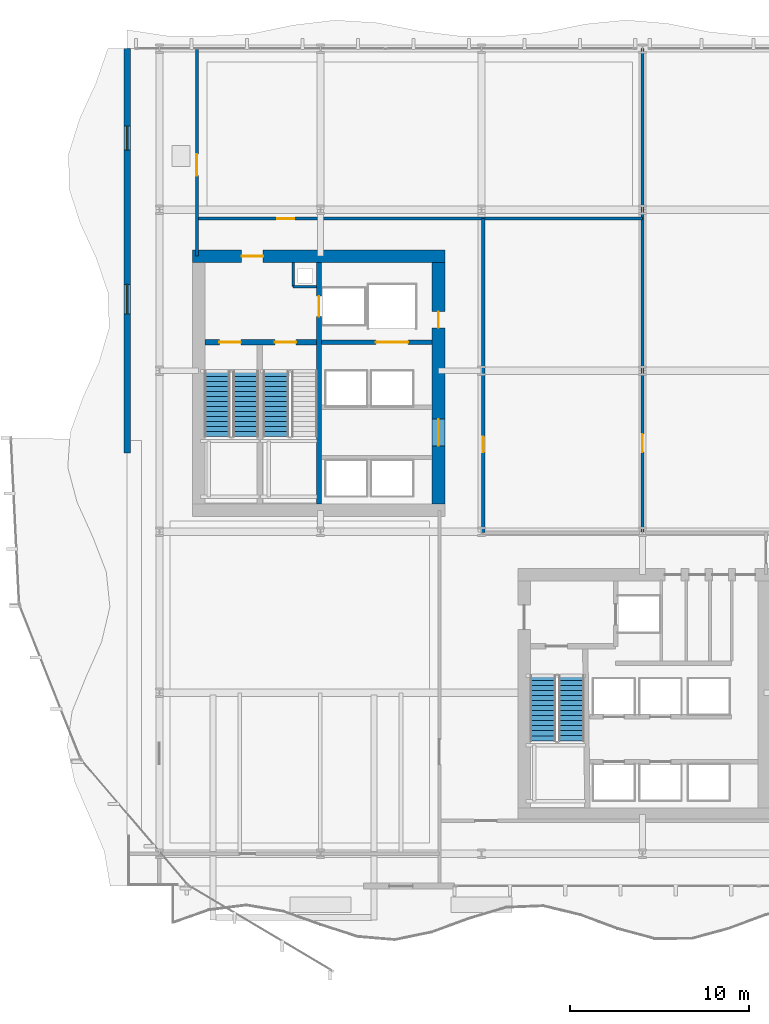
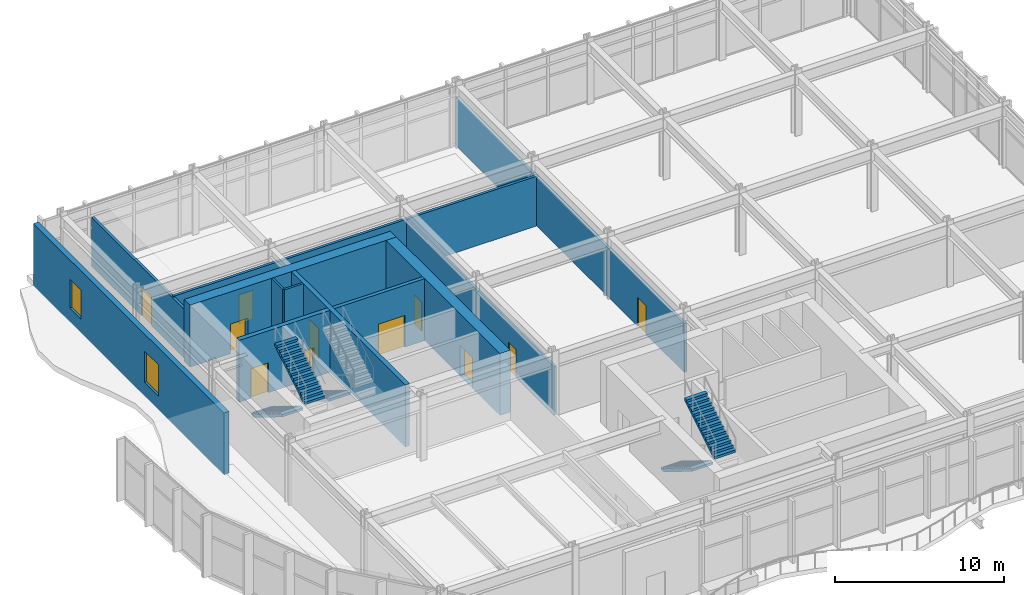
# One storey, part 21 of 29: 12 walls, 11 doors, 5 stair flights, 2 windows, 13 openings, 3 elements without a shape of their own.
"""IFC4 building model written with IfcOpenShell, lengths in metres."""

from ifc_helpers import new_model, si_unit, direction, frame, frame_2d, origin, place, context, subcontext, project, spatial, polyline, rectangle, outline, extrude, material, layer, layer_set, type_object, element, fill, aggregate, save


model = new_model("IFC4")

# Units and contexts
model_context = context("Model", 3, precision=1e-05, world=origin(), true_north=direction((0.0, 1.0)))
body_context = subcontext(model_context, "Body", "Model", "MODEL_VIEW")
ifc_project = project(units=[si_unit("LENGTHUNIT", "METRE"), si_unit("AREAUNIT", "SQUARE_METRE"), si_unit("VOLUMEUNIT", "CUBIC_METRE"), si_unit("PLANEANGLEUNIT", "RADIAN"), si_unit("MASSUNIT", "GRAM", prefix="KILO")], contexts=[model_context])

# Site, building, storey
site_placement = place(None, origin())
site = spatial("IfcSite", under=ifc_project, at=site_placement, CompositionType="ELEMENT")
building_placement = place(site_placement, origin())
building = spatial("IfcBuilding", under=site, at=building_placement, Name="Solvaryn Broadcast Tower", CompositionType="ELEMENT")
storey_placement = place(building_placement, frame((0.0, 0.0, 21.199951171875)))
storey = spatial("IfcBuildingStorey", under=building, at=storey_placement, Name="L04", CompositionType="ELEMENT", Elevation=21.199951171875)

# Wall, opening, door
ifc_material_1 = material(Name="Concrete f'c 70 MPa", Category="concrete")
ifc_layer_1 = layer(ifc_material_1, 0.699951171875)
ifc_layer_set_1 = layer_set([ifc_layer_1], Name="CW-SHEAR-700")
wall_type_1 = type_object("IfcWallType", Name="CW-SHEAR-700", PredefinedType="SHEAR", material=ifc_layer_set_1)
wall_1_placement = place(storey_placement, frame((24.949951171875, 42.39990234375, 0.0), z_axis=(0.0, 0.0, 1.0), x_axis=(-1.0, 0.0, 0.0)))
wall_1 = element("IfcWall", 1, at=wall_1_placement, inside=storey, type_object=wall_type_1, Name="L04 West Core North Shear Wall", PredefinedType="SHEAR", context=body_context, shape_type="SweptSolid", body=[
    extrude(rectangle(XDim=14.099853515625, YDim=0.699951171875, at=frame_2d((7.0498046875, 0.0))), origin(), (0.0, 0.0, 1.0), 4.47998046875),
])
opening_1_placement = place(wall_1_placement, frame((10.14990234375, 0.0, 0.0)))
opening_1 = element("IfcOpeningElement", 2, at=opening_1_placement, cuts=wall_1, Name="Opening FD90A", PredefinedType="OPENING", context=body_context, shape_type="SweptSolid", body=[
    extrude(rectangle(XDim=1.199951171875, YDim=2.14990234375, at=frame_2d((0.60009765625, 1.074951171875))), frame((0.0, 0.360107421875, 0.0), z_axis=(0.0, -1.0, 0.0), x_axis=(1.0, 0.0, 0.0)), (0.0, 0.0, 1.0), 0.719970703125),
])
ifc_material_2 = material(Name="Flush Acoustic Steel and Timber Door Assembly", Category="steel")
door_type_1 = type_object("IfcDoorType", Name="FD90-STAIR-1200X2150", OperationType="NOTDEFINED", PredefinedType="DOOR", material=ifc_material_2)
door_1_placement = place(opening_1_placement, origin())
door_1 = element("IfcDoor", 3, at=door_1_placement, inside=storey, type_object=door_type_1, Name="L04 West FSAE Lobby Corridor Door", OperationType="SINGLE_SWING_LEFT", OverallHeight=2.14990234375, OverallWidth=1.199951171875, PredefinedType="DOOR", context=body_context, shape_type="SweptSolid", body=[
    extrude(rectangle(XDim=1.199951171875, YDim=2.14990234375, at=frame_2d((0.60009765625, 1.074951171875))), frame((0.0, 0.02490234375, 0.0), z_axis=(0.0, -1.0, 0.0), x_axis=(1.0, 0.0, 0.0)), (0.0, 0.0, 1.0), 0.050048828125),
])
fill(opening_1, door_1)

# Wall, openings, doors
wall_2_placement = place(storey_placement, frame((24.60009765625, 28.550048828125, 0.0), z_axis=(0.0, 0.0, 1.0), x_axis=(0.0, 1.0, 0.0)))
wall_2 = element("IfcWall", 4, at=wall_2_placement, inside=storey, type_object=wall_type_1, Name="L04 West Core East Shear Wall", PredefinedType="SHEAR", context=body_context, shape_type="SweptSolid", body=[
    extrude(rectangle(XDim=13.5, YDim=0.699951171875, at=frame_2d((6.75, 0.0))), origin(), (0.0, 0.0, 1.0), 4.47998046875),
])
opening_2_placement = place(wall_2_placement, frame((3.25, 0.0, 0.0)))
opening_2 = element("IfcOpeningElement", 5, at=opening_2_placement, cuts=wall_2, Name="Opening FD60A", PredefinedType="OPENING", context=body_context, shape_type="SweptSolid", body=[
    extrude(rectangle(XDim=1.5, YDim=2.199951171875, at=frame_2d((0.75, 1.10009765625))), frame((0.0, 0.360107421875, 0.0), z_axis=(0.0, -1.0, 0.0), x_axis=(1.0, 0.0, 0.0)), (0.0, 0.0, 1.0), 0.719970703125),
])
opening_3_placement = place(wall_2_placement, frame((9.85009765625, 0.0, 0.0)))
opening_3 = element("IfcOpeningElement", 6, at=opening_3_placement, cuts=wall_2, Name="Opening FD60C", PredefinedType="OPENING", context=body_context, shape_type="SweptSolid", body=[
    extrude(rectangle(XDim=0.89990234375, YDim=2.10009765625, at=frame_2d((0.449951171875, 1.050048828125))), frame((0.0, 0.360107421875, 0.0), z_axis=(0.0, -1.0, 0.0), x_axis=(1.0, 0.0, 0.0)), (0.0, 0.0, 1.0), 0.719970703125),
])
ifc_material_3 = material(Name="Flush Acoustic Steel and Timber Door Assembly", Category="steel")
door_type_2 = type_object("IfcDoorType", Name="FD60-CORR-1500X2200", OperationType="NOTDEFINED", PredefinedType="DOOR", material=ifc_material_3)
door_2_placement = place(opening_2_placement, origin())
door_2 = element("IfcDoor", 7, at=door_2_placement, inside=storey, type_object=door_type_2, Name="L04 West Elevator Lobby Corridor Door", OperationType="DOUBLE_DOOR_SINGLE_SWING", OverallHeight=2.199951171875, OverallWidth=1.5, PredefinedType="DOOR", context=body_context, shape_type="SweptSolid", body=[
    extrude(rectangle(XDim=1.5, YDim=2.199951171875, at=frame_2d((0.75, 1.10009765625))), frame((0.0, 0.02490234375, 0.0), z_axis=(0.0, -1.0, 0.0), x_axis=(1.0, 0.0, 0.0)), (0.0, 0.0, 1.0), 0.050048828125),
])
fill(opening_2, door_2)
ifc_material_4 = material(Name="Flush Acoustic Steel and Timber Door Assembly", Category="steel")
door_type_3 = type_object("IfcDoorType", Name="FD60-SERV-900X2100", OperationType="NOTDEFINED", PredefinedType="DOOR", material=ifc_material_4)
door_3_placement = place(opening_3_placement, origin())
door_3 = element("IfcDoor", 8, at=door_3_placement, inside=storey, type_object=door_type_3, Name="L04 West Core Service Door 1", OperationType="SINGLE_SWING_LEFT", OverallHeight=2.10009765625, OverallWidth=0.89990234375, PredefinedType="DOOR", context=body_context, shape_type="SweptSolid", body=[
    extrude(rectangle(XDim=0.89990234375, YDim=2.10009765625, at=frame_2d((0.449951171875, 1.050048828125))), frame((0.0, 0.02490234375, 0.0), z_axis=(0.0, -1.0, 0.0), x_axis=(1.0, 0.0, 0.0)), (0.0, 0.0, 1.0), 0.050048828125),
])
fill(opening_3, door_3)

# Wall, openings, windows
ifc_material_5 = material(Name="Concrete f'c 50 MPa", Category="concrete")
ifc_layer_2 = layer(ifc_material_5, 0.35009765625)
ifc_layer_set_2 = layer_set([ifc_layer_2], Name="EW-STUDIO-350")
wall_type_2 = type_object("IfcWallType", Name="EW-STUDIO-350", PredefinedType="SOLIDWALL", material=ifc_layer_set_2)
wall_3_placement = place(storey_placement, frame((7.199951171875, 31.39990234375, 0.0), z_axis=(0.0, 0.0, 1.0), x_axis=(0.0, 1.0, 0.0)))
wall_3 = element("IfcWall", 9, at=wall_3_placement, inside=storey, type_object=wall_type_2, Name="L04 Podium West Door & Corner Wall", PredefinedType="SOLIDWALL", context=body_context, shape_type="SweptSolid", body=[
    extrude(rectangle(XDim=22.60009765625, YDim=0.35009765625, at=frame_2d((11.300048828125, 0.0))), origin(), (0.0, 0.0, 1.0), 4.47998046875),
])
opening_4_placement = place(wall_3_placement, frame((7.77490234375, 0.0, 1.0)))
opening_4 = element("IfcOpeningElement", 10, at=opening_4_placement, cuts=wall_3, Name="Opening WN09", PredefinedType="OPENING", context=body_context, shape_type="SweptSolid", body=[
    extrude(rectangle(XDim=1.64990234375, YDim=2.25, at=frame_2d((0.824951171875, 1.125))), frame((0.0, 0.18505859375, 0.0), z_axis=(0.0, -1.0, 0.0), x_axis=(1.0, 0.0, 0.0)), (0.0, 0.0, 1.0), 0.3701171875),
])
opening_5_placement = place(wall_3_placement, frame((16.925048828125, 0.0, 1.0)))
opening_5 = element("IfcOpeningElement", 11, at=opening_5_placement, cuts=wall_3, Name="Opening WN08", PredefinedType="OPENING", context=body_context, shape_type="SweptSolid", body=[
    extrude(rectangle(XDim=1.35009765625, YDim=2.10009765625, at=frame_2d((0.675048828125, 1.050048828125))), frame((0.0, 0.18505859375, 0.0), z_axis=(0.0, -1.0, 0.0), x_axis=(1.0, 0.0, 0.0)), (0.0, 0.0, 1.0), 0.3701171875),
])
ifc_material_6 = material(Name="Thermally Broken Aluminium Acoustic Glazing", Category="aluminium")
window_type_1 = type_object("IfcWindowType", Name="WN-08-1350X2100", PartitioningType="SINGLE_PANEL", PredefinedType="WINDOW", material=ifc_material_6)
window_1_placement = place(opening_5_placement, origin())
window_1 = element("IfcWindow", 12, at=window_1_placement, inside=storey, type_object=window_type_1, Name="L04 West Studio Acoustic Window 2", OverallHeight=2.10009765625, OverallWidth=1.35009765625, PartitioningType="SINGLE_PANEL", PredefinedType="WINDOW", context=body_context, shape_type="SweptSolid", body=[
    extrude(rectangle(XDim=1.35009765625, YDim=2.10009765625, at=frame_2d((0.675048828125, 1.050048828125))), frame((0.0, 0.030029296875, 0.0), z_axis=(0.0, -1.0, 0.0), x_axis=(1.0, 0.0, 0.0)), (0.0, 0.0, 1.0), 0.06005859375),
])
fill(opening_5, window_1)
ifc_material_7 = material(Name="Thermally Broken Aluminium Acoustic Glazing", Category="aluminium")
window_type_2 = type_object("IfcWindowType", Name="WN-09-1650X2250", PartitioningType="SINGLE_PANEL", PredefinedType="WINDOW", material=ifc_material_7)
window_2_placement = place(opening_4_placement, origin())
window_2 = element("IfcWindow", 13, at=window_2_placement, inside=storey, type_object=window_type_2, Name="L04 West Studio Acoustic Window 1", OverallHeight=2.25, OverallWidth=1.64990234375, PartitioningType="SINGLE_PANEL", PredefinedType="WINDOW", context=body_context, shape_type="SweptSolid", body=[
    extrude(rectangle(XDim=1.64990234375, YDim=2.25, at=frame_2d((0.824951171875, 1.125))), frame((0.0, 0.030029296875, 0.0), z_axis=(0.0, -1.0, 0.0), x_axis=(1.0, 0.0, 0.0)), (0.0, 0.0, 1.0), 0.06005859375),
])
fill(opening_4, window_2)

# Walls
ifc_material_8 = material(Name="Metal-Stud Service Core Partition")
ifc_layer_3 = layer(ifc_material_8, 0.14990234375)
ifc_layer_set_3 = layer_set([ifc_layer_3], Name="IW-PART-150")
wall_type_3 = type_object("IfcWallType", Name="IW-PART-150", PredefinedType="PARTITIONING", material=ifc_layer_set_3)
wall_4_placement = place(storey_placement, frame((16.47998046875, 40.699951171875, 0.0), z_axis=(0.0, 0.0, 1.0), x_axis=(1.0, 0.0, 0.0)))
element("IfcWall", 14, at=wall_4_placement, inside=storey, type_object=wall_type_3, Name="L04 West Core Riser Shaft South Wall", PredefinedType="PARTITIONING", context=body_context, shape_type="SweptSolid", body=[
    extrude(rectangle(XDim=1.2900390625, YDim=0.14990234375, at=frame_2d((0.64501953125, 0.0))), origin(), (0.0, 0.0, 1.0), 4.47998046875),
])
wall_5_placement = place(storey_placement, frame((16.47998046875, 40.699951171875, 0.0), z_axis=(0.0, 0.0, 1.0), x_axis=(0.0, 1.0, 0.0)))
element("IfcWall", 15, at=wall_5_placement, inside=storey, type_object=wall_type_3, Name="L04 West Core Riser Shaft West Wall", PredefinedType="PARTITIONING", context=body_context, shape_type="SweptSolid", body=[
    extrude(rectangle(XDim=1.35009765625, YDim=0.14990234375, at=frame_2d((0.675048828125, 0.0))), origin(), (0.0, 0.0, 1.0), 4.47998046875),
])

# Wall, opening, door
ifc_material_9 = material(Name="Acoustic Metal-Stud Gypsum Partition")
ifc_layer_4 = layer(ifc_material_9, 0.179931640625)
ifc_layer_set_4 = layer_set([ifc_layer_4], Name="IW-PART-180")
wall_type_4 = type_object("IfcWallType", Name="IW-PART-180", PredefinedType="PARTITIONING", material=ifc_layer_set_4)
wall_6_placement = place(storey_placement, frame((27.10009765625, 26.949951171875, 0.0), z_axis=(0.0, 0.0, 1.0), x_axis=(0.0, 1.0, 0.0)))
wall_6 = element("IfcWall", 16, at=wall_6_placement, inside=storey, type_object=wall_type_4, Name="L04 Interior Partition IW-L04-PW6", PredefinedType="PARTITIONING", context=body_context, shape_type="SweptSolid", body=[
    extrude(rectangle(XDim=17.550048828125, YDim=0.179931640625, at=frame_2d((8.77490234375, 0.0))), origin(), (0.0, 0.0, 1.0), 3.532958984375),
])
opening_6_placement = place(wall_6_placement, frame((4.5, 0.0, 0.0)))
opening_6 = element("IfcOpeningElement", 17, at=opening_6_placement, cuts=wall_6, Name="Opening ID07", PredefinedType="OPENING", context=body_context, shape_type="SweptSolid", body=[
    extrude(rectangle(XDim=0.860107421875, YDim=2.050048828125, at=frame_2d((0.43017578125, 1.02490234375))), frame((0.0, 0.099853515625, 0.0), z_axis=(0.0, -1.0, 0.0), x_axis=(1.0, 0.0, 0.0)), (0.0, 0.0, 1.0), 0.199951171875),
])
ifc_material_10 = material(Name="Flush Acoustic Steel and Timber Door Assembly", Category="steel")
door_type_4 = type_object("IfcDoorType", Name="ID-07-860X2050", OperationType="NOTDEFINED", PredefinedType="DOOR", material=ifc_material_10)
door_4_placement = place(opening_6_placement, origin())
door_4 = element("IfcDoor", 18, at=door_4_placement, inside=storey, type_object=door_type_4, Name="L04 Door DR-L04-PD4", OperationType="SINGLE_SWING_LEFT", OverallHeight=2.050048828125, OverallWidth=0.860107421875, PredefinedType="DOOR", context=body_context, shape_type="SweptSolid", body=[
    extrude(rectangle(XDim=0.860107421875, YDim=2.050048828125, at=frame_2d((0.43017578125, 1.02490234375))), frame((0.0, 0.02490234375, 0.0), z_axis=(0.0, -1.0, 0.0), x_axis=(1.0, 0.0, 0.0)), (0.0, 0.0, 1.0), 0.050048828125),
])
fill(opening_6, door_4)

wall_7_placement = place(storey_placement, frame((11.10009765625, 44.5, 0.0), z_axis=(0.0, 0.0, 1.0), x_axis=(1.0, 0.0, 0.0)))
wall_7 = element("IfcWall", 19, at=wall_7_placement, inside=storey, type_object=wall_type_4, Name="L04 Interior Partition IW-L04-PW7", PredefinedType="PARTITIONING", context=body_context, shape_type="SweptSolid", body=[
    extrude(rectangle(XDim=24.89990234375, YDim=0.179931640625, at=frame_2d((12.449951171875, 0.0))), origin(), (0.0, 0.0, 1.0), 3.60498046875),
])
opening_7_placement = place(wall_7_placement, frame((4.5, 0.0, 0.0)))
opening_7 = element("IfcOpeningElement", 20, at=opening_7_placement, cuts=wall_7, Name="Opening ID01", PredefinedType="OPENING", context=body_context, shape_type="SweptSolid", body=[
    extrude(rectangle(XDim=0.949951171875, YDim=2.10009765625, at=frame_2d((0.47509765625, 1.050048828125))), frame((0.0, 0.099853515625, 0.0), z_axis=(0.0, -1.0, 0.0), x_axis=(1.0, 0.0, 0.0)), (0.0, 0.0, 1.0), 0.199951171875),
])
ifc_material_11 = material(Name="Flush Acoustic Steel and Timber Door Assembly", Category="steel")
door_type_5 = type_object("IfcDoorType", Name="ID-01-950X2100", OperationType="NOTDEFINED", PredefinedType="DOOR", material=ifc_material_11)
door_5_placement = place(opening_7_placement, origin())
door_5 = element("IfcDoor", 21, at=door_5_placement, inside=storey, type_object=door_type_5, Name="L04 Door DR-L04-PD5", OperationType="SINGLE_SWING_RIGHT", OverallHeight=2.10009765625, OverallWidth=0.949951171875, PredefinedType="DOOR", context=body_context, shape_type="SweptSolid", body=[
    extrude(rectangle(XDim=0.949951171875, YDim=2.10009765625, at=frame_2d((0.47509765625, 1.050048828125))), frame((0.0, 0.02490234375, 0.0), z_axis=(0.0, -1.0, 0.0), x_axis=(1.0, 0.0, 0.0)), (0.0, 0.0, 1.0), 0.050048828125),
])
fill(opening_7, door_5)

wall_8_placement = place(storey_placement, frame((36.0, 26.949951171875, 0.0), z_axis=(0.0, 0.0, 1.0), x_axis=(0.0, 1.0, 0.0)))
wall_8 = element("IfcWall", 22, at=wall_8_placement, inside=storey, type_object=wall_type_4, Name="L04 Interior Partition IW-L04-PW8", PredefinedType="PARTITIONING", context=body_context, shape_type="SweptSolid", body=[
    extrude(rectangle(XDim=27.050048828125, YDim=0.179931640625, at=frame_2d((13.52490234375, 0.0))), origin(), (0.0, 0.0, 1.0), 3.532958984375),
])
opening_8_placement = place(wall_8_placement, frame((4.5, 0.0, 0.0)))
opening_8 = element("IfcOpeningElement", 23, at=opening_8_placement, cuts=wall_8, Name="Opening ID02", PredefinedType="OPENING", context=body_context, shape_type="SweptSolid", body=[
    extrude(rectangle(XDim=1.0, YDim=2.10009765625, at=frame_2d((0.5, 1.050048828125))), frame((0.0, 0.099853515625, 0.0), z_axis=(0.0, -1.0, 0.0), x_axis=(1.0, 0.0, 0.0)), (0.0, 0.0, 1.0), 0.199951171875),
])
ifc_material_12 = material(Name="Flush Acoustic Steel and Timber Door Assembly", Category="steel")
door_type_6 = type_object("IfcDoorType", Name="ID-02-1000X2100", OperationType="NOTDEFINED", PredefinedType="DOOR", material=ifc_material_12)
door_6_placement = place(opening_8_placement, origin())
door_6 = element("IfcDoor", 24, at=door_6_placement, inside=storey, type_object=door_type_6, Name="L04 Door DR-L04-PD6", OperationType="SINGLE_SWING_LEFT", OverallHeight=2.10009765625, OverallWidth=1.0, PredefinedType="DOOR", context=body_context, shape_type="SweptSolid", body=[
    extrude(rectangle(XDim=1.0, YDim=2.10009765625, at=frame_2d((0.5, 1.050048828125))), frame((0.0, 0.02490234375, 0.0), z_axis=(0.0, -1.0, 0.0), x_axis=(1.0, 0.0, 0.0)), (0.0, 0.0, 1.0), 0.050048828125),
])
fill(opening_8, door_6)

wall_9_placement = place(storey_placement, frame((11.10009765625, 42.39990234375, 0.0), z_axis=(0.0, 0.0, 1.0), x_axis=(0.0, 1.0, 0.0)))
wall_9 = element("IfcWall", 25, at=wall_9_placement, inside=storey, type_object=wall_type_4, Name="L04 Interior Partition IW-L04-PW9", PredefinedType="PARTITIONING", context=body_context, shape_type="SweptSolid", body=[
    extrude(rectangle(XDim=11.60009765625, YDim=0.179931640625, at=frame_2d((5.800048828125, 0.0))), origin(), (0.0, 0.0, 1.0), 3.532958984375),
])
opening_9_placement = place(wall_9_placement, frame((4.5, 0.0, 0.0)))
opening_9 = element("IfcOpeningElement", 26, at=opening_9_placement, cuts=wall_9, Name="Opening ID04", PredefinedType="OPENING", context=body_context, shape_type="SweptSolid", body=[
    extrude(rectangle(XDim=1.199951171875, YDim=2.14990234375, at=frame_2d((0.60009765625, 1.074951171875))), frame((0.0, 0.099853515625, 0.0), z_axis=(0.0, -1.0, 0.0), x_axis=(1.0, 0.0, 0.0)), (0.0, 0.0, 1.0), 0.199951171875),
])
ifc_material_13 = material(Name="Flush Acoustic Steel and Timber Door Assembly", Category="steel")
door_type_7 = type_object("IfcDoorType", Name="ID-04-1200X2150", OperationType="NOTDEFINED", PredefinedType="DOOR", material=ifc_material_13)
door_7_placement = place(opening_9_placement, origin())
door_7 = element("IfcDoor", 27, at=door_7_placement, inside=storey, type_object=door_type_7, Name="L04 Door DR-L04-PDN", OperationType="SINGLE_SWING_LEFT", OverallHeight=2.14990234375, OverallWidth=1.199951171875, PredefinedType="DOOR", context=body_context, shape_type="SweptSolid", body=[
    extrude(rectangle(XDim=1.199951171875, YDim=2.14990234375, at=frame_2d((0.60009765625, 1.074951171875))), frame((0.0, 0.02490234375, 0.0), z_axis=(0.0, -1.0, 0.0), x_axis=(1.0, 0.0, 0.0)), (0.0, 0.0, 1.0), 0.050048828125),
])
fill(opening_9, door_7)

ifc_material_14 = material(Name="Concrete f'c 60 MPa", Category="concrete")
ifc_layer_5 = layer(ifc_material_14, 0.25)
ifc_layer_set_5 = layer_set([ifc_layer_5], Name="SW-SHAFT-250")
wall_type_5 = type_object("IfcWallType", Name="SW-SHAFT-250", PredefinedType="PARTITIONING", material=ifc_layer_set_5)
wall_10_placement = place(storey_placement, frame((18.070068359375, 37.60009765625, 0.0), z_axis=(0.0, 0.0, 1.0), x_axis=(1.0, 0.0, 0.0)))
wall_10 = element("IfcWall", 28, at=wall_10_placement, inside=storey, type_object=wall_type_5, Name="L04 West Core FSAE Hoistway Front Wall", PredefinedType="PARTITIONING", context=body_context, shape_type="SweptSolid", body=[
    extrude(rectangle(XDim=6.179931640625, YDim=0.25, at=frame_2d((3.08984375, 0.0))), origin(), (0.0, 0.0, 1.0), 4.47998046875),
])
opening_10_placement = place(wall_10_placement, frame((3.030029296875, 0.0, 0.0)))
opening_10 = element("IfcOpeningElement", 29, at=opening_10_placement, cuts=wall_10, Name="Opening LD02", PredefinedType="OPENING", context=body_context, shape_type="SweptSolid", body=[
    extrude(rectangle(XDim=1.800048828125, YDim=2.300048828125, at=frame_2d((0.89990234375, 1.14990234375))), frame((0.0, 0.135009765625, 0.0), z_axis=(0.0, -1.0, 0.0), x_axis=(1.0, 0.0, 0.0)), (0.0, 0.0, 1.0), 0.27001953125),
])
ifc_material_15 = material(Name="Flush Acoustic Steel and Timber Door Assembly", Category="steel")
door_type_8 = type_object("IfcDoorType", Name="LD-FREIGHT-1800X2300", OperationType="NOTDEFINED", PredefinedType="DOOR", material=ifc_material_15)
door_8_placement = place(opening_10_placement, origin())
door_8 = element("IfcDoor", 30, at=door_8_placement, inside=storey, type_object=door_type_8, Name="L04 SV1 Freight Lift Landing Door", OperationType="DOUBLE_DOOR_SLIDING", OverallHeight=2.300048828125, OverallWidth=1.800048828125, PredefinedType="DOOR", context=body_context, shape_type="SweptSolid", body=[
    extrude(rectangle(XDim=1.800048828125, YDim=2.300048828125, at=frame_2d((0.89990234375, 1.14990234375))), frame((0.0, 0.02490234375, 0.0), z_axis=(0.0, -1.0, 0.0), x_axis=(1.0, 0.0, 0.0)), (0.0, 0.0, 1.0), 0.050048828125),
])
fill(opening_10, door_8)

ifc_material_16 = material(Name="Concrete f'c 70 MPa", Category="concrete")
ifc_layer_6 = layer(ifc_material_16, 0.300048828125)
ifc_layer_set_6 = layer_set([ifc_layer_6], Name="SW-SHAFT-300")
wall_type_6 = type_object("IfcWallType", Name="SW-SHAFT-300", PredefinedType="SHEAR", material=ifc_layer_set_6)
wall_11_placement = place(storey_placement, frame((17.919921875, 42.050048828125, 0.0), z_axis=(0.0, 0.0, 1.0), x_axis=(0.0, -1.0, 0.0)))
wall_11 = element("IfcWall", 31, at=wall_11_placement, inside=storey, type_object=wall_type_6, Name="L04 West Core Stair-Lobby Shear Wall", PredefinedType="SHEAR", context=body_context, shape_type="SweptSolid", body=[
    extrude(rectangle(XDim=13.5, YDim=0.300048828125, at=frame_2d((6.75, 0.0))), origin(), (0.0, 0.0, 1.0), 4.47998046875),
])
opening_11_placement = place(wall_11_placement, frame((1.875, 0.0, 0.0)))
opening_11 = element("IfcOpeningElement", 32, at=opening_11_placement, cuts=wall_11, Name="Opening LD01", PredefinedType="OPENING", context=body_context, shape_type="SweptSolid", body=[
    extrude(rectangle(XDim=1.14990234375, YDim=2.14990234375, at=frame_2d((0.574951171875, 1.074951171875))), frame((0.0, 0.159912109375, 0.0), z_axis=(0.0, -1.0, 0.0), x_axis=(1.0, 0.0, 0.0)), (0.0, 0.0, 1.0), 0.320068359375),
])
ifc_material_17 = material(Name="Flush Acoustic Steel and Timber Door Assembly", Category="steel")
door_type_9 = type_object("IfcDoorType", Name="LD-LIFT-1150X2150", OperationType="NOTDEFINED", PredefinedType="DOOR", material=ifc_material_17)
door_9_placement = place(opening_11_placement, origin())
door_9 = element("IfcDoor", 33, at=door_9_placement, inside=storey, type_object=door_type_9, Name="L04 FL1 Lift Landing Door", OperationType="DOUBLE_DOOR_SLIDING", OverallHeight=2.14990234375, OverallWidth=1.14990234375, PredefinedType="DOOR", context=body_context, shape_type="SweptSolid", body=[
    extrude(rectangle(XDim=1.14990234375, YDim=2.14990234375, at=frame_2d((0.574951171875, 1.074951171875))), frame((0.0, 0.02490234375, 0.0), z_axis=(0.0, -1.0, 0.0), x_axis=(1.0, 0.0, 0.0)), (0.0, 0.0, 1.0), 0.050048828125),
])
fill(opening_11, door_9)

# Wall, openings, doors
wall_12_placement = place(storey_placement, frame((17.77001953125, 37.60009765625, 0.0), z_axis=(0.0, 0.0, 1.0), x_axis=(-1.0, 0.0, 0.0)))
wall_12 = element("IfcWall", 34, at=wall_12_placement, inside=storey, type_object=wall_type_6, Name="L04 West Core FSAE Lobby South Wall", PredefinedType="SHEAR", context=body_context, shape_type="SweptSolid", body=[
    extrude(rectangle(XDim=6.219970703125, YDim=0.300048828125, at=frame_2d((3.10986328125, 0.0))), origin(), (0.0, 0.0, 1.0), 4.47998046875),
])
opening_12_placement = place(wall_12_placement, frame((4.219970703125, 0.0, 0.0)))
opening_12 = element("IfcOpeningElement", 35, at=opening_12_placement, cuts=wall_12, Name="Opening FD90A", PredefinedType="OPENING", context=body_context, shape_type="SweptSolid", body=[
    extrude(rectangle(XDim=1.199951171875, YDim=2.14990234375, at=frame_2d((0.60009765625, 1.074951171875))), frame((0.0, 0.159912109375, 0.0), z_axis=(0.0, -1.0, 0.0), x_axis=(1.0, 0.0, 0.0)), (0.0, 0.0, 1.0), 0.320068359375),
])
opening_13_placement = place(wall_12_placement, frame((1.1201171875, 0.0, 0.0)))
opening_13 = element("IfcOpeningElement", 36, at=opening_13_placement, cuts=wall_12, Name="Opening FD90A", PredefinedType="OPENING", context=body_context, shape_type="SweptSolid", body=[
    extrude(rectangle(XDim=1.199951171875, YDim=2.14990234375, at=frame_2d((0.60009765625, 1.074951171875))), frame((0.0, 0.159912109375, 0.0), z_axis=(0.0, -1.0, 0.0), x_axis=(1.0, 0.0, 0.0)), (0.0, 0.0, 1.0), 0.320068359375),
])
door_10_placement = place(opening_12_placement, origin())
door_10 = element("IfcDoor", 37, at=door_10_placement, inside=storey, type_object=door_type_1, Name="L04 Stair 1 Fire Door", OperationType="SINGLE_SWING_LEFT", OverallHeight=2.14990234375, OverallWidth=1.199951171875, PredefinedType="DOOR", context=body_context, shape_type="SweptSolid", body=[
    extrude(rectangle(XDim=1.199951171875, YDim=2.14990234375, at=frame_2d((0.60009765625, 1.074951171875))), frame((0.0, 0.02490234375, 0.0), z_axis=(0.0, -1.0, 0.0), x_axis=(1.0, 0.0, 0.0)), (0.0, 0.0, 1.0), 0.050048828125),
])
fill(opening_12, door_10)
door_11_placement = place(opening_13_placement, origin())
door_11 = element("IfcDoor", 38, at=door_11_placement, inside=storey, type_object=door_type_1, Name="L04 Stair 2 Fire Door", OperationType="SINGLE_SWING_RIGHT", OverallHeight=2.14990234375, OverallWidth=1.199951171875, PredefinedType="DOOR", context=body_context, shape_type="SweptSolid", body=[
    extrude(rectangle(XDim=1.199951171875, YDim=2.14990234375, at=frame_2d((0.60009765625, 1.074951171875))), frame((0.0, 0.02490234375, 0.0), z_axis=(0.0, -1.0, 0.0), x_axis=(1.0, 0.0, 0.0)), (0.0, 0.0, 1.0), 0.050048828125),
])
fill(opening_13, door_11)

# Stair, stair flights
ifc_material_18 = material(Name="Concrete f'c 60 MPa", Category="concrete")
stair_type = type_object("IfcStairType", Name="ST-CORE", PredefinedType="HALF_TURN_STAIR", material=ifc_material_18)
stair_1_placement = place(storey_placement, origin())
stair_1 = element("IfcStair", 39, at=stair_1_placement, inside=storey, type_object=stair_type, Name="L04 ST1", PredefinedType="HALF_TURN_STAIR")
ifc_material_19 = material(Name="Concrete f'c 60 MPa", Category="concrete")
ifc_layer_7 = layer(ifc_material_19, 0.159912109375)
ifc_layer_set_7 = layer_set([ifc_layer_7], Name="SF-CORE")
stair_flight_type = type_object("IfcStairFlightType", Name="SF-CORE", PredefinedType="STRAIGHT", material=ifc_layer_set_7)
stair_flight_1_placement = place(storey_placement, frame((12.239990234375, 35.9599609375, 0.0), z_axis=(0.0, 0.0, 1.0), x_axis=(0.0, -1.0, 0.0)))
stair_flight_1 = element("IfcStairFlight", 40, at=stair_flight_1_placement, type_object=stair_flight_type, Name="ST1 flight 1", NumberOfRisers=14, NumberOfTreads=13, PredefinedType="STRAIGHT", RiserHeight=0.171428571, TreadLength=0.28, context=body_context, shape_type="SweptSolid", body=[
    extrude(outline(polyline([(0.0, 0.0), (0.0, 0.17138671875), (0.280029296875, 0.17138671875), (0.280029296875, 0.3427734375), (0.56005859375, 0.3427734375), (0.56005859375, 0.514404296875), (0.840087890625, 0.514404296875), (0.840087890625, 0.685791015625), (1.1201171875, 0.685791015625), (1.1201171875, 0.857177734375), (1.39990234375, 0.857177734375), (1.39990234375, 1.028564453125), (1.679931640625, 1.028564453125), (1.679931640625, 1.199951171875), (1.9599609375, 1.199951171875), (1.9599609375, 1.371337890625), (2.239990234375, 1.371337890625), (2.239990234375, 1.54296875), (2.52001953125, 1.54296875), (2.52001953125, 1.71435546875), (2.800048828125, 1.71435546875), (2.800048828125, 1.8857421875), (3.080078125, 1.8857421875), (3.080078125, 2.05712890625), (3.360107421875, 2.05712890625), (3.360107421875, 2.228515625), (3.639892578125, 2.228515625), (3.639892578125, 2.39990234375), (3.639892578125, 2.052734375), (0.287109375, 0.0), (0.0, 0.0)])), frame((0.0, 0.719970703125, 0.0), z_axis=(0.0, -1.0, 0.0), x_axis=(1.0, 0.0, 0.0)), (0.0, 0.0, 1.0), 1.43994140625),
])
stair_flight_2_placement = place(storey_placement, frame((13.830078125, 32.320068359375, 2.400146484375), z_axis=(0.0, 0.0, 1.0), x_axis=(0.0, 1.0, 0.0)))
stair_flight_2 = element("IfcStairFlight", 41, at=stair_flight_2_placement, type_object=stair_flight_type, Name="ST1 flight 2", NumberOfRisers=14, NumberOfTreads=13, PredefinedType="STRAIGHT", RiserHeight=0.171428571, TreadLength=0.28, context=body_context, shape_type="SweptSolid", body=[
    extrude(outline(polyline([(0.0, 0.0), (0.0, 0.17138671875), (0.280029296875, 0.17138671875), (0.280029296875, 0.3427734375), (0.56005859375, 0.3427734375), (0.56005859375, 0.514404296875), (0.840087890625, 0.514404296875), (0.840087890625, 0.685791015625), (1.1201171875, 0.685791015625), (1.1201171875, 0.857177734375), (1.39990234375, 0.857177734375), (1.39990234375, 1.028564453125), (1.679931640625, 1.028564453125), (1.679931640625, 1.199951171875), (1.9599609375, 1.199951171875), (1.9599609375, 1.371337890625), (2.239990234375, 1.371337890625), (2.239990234375, 1.54296875), (2.52001953125, 1.54296875), (2.52001953125, 1.71435546875), (2.800048828125, 1.71435546875), (2.800048828125, 1.8857421875), (3.080078125, 1.8857421875), (3.080078125, 2.05712890625), (3.360107421875, 2.05712890625), (3.360107421875, 2.228515625), (3.639892578125, 2.228515625), (3.639892578125, 2.39990234375), (3.639892578125, 2.052734375), (0.287109375, 0.0), (0.0, 0.0)])), frame((0.0, 0.719970703125, 0.0), z_axis=(0.0, -1.0, 0.0), x_axis=(1.0, 0.0, 0.0)), (0.0, 0.0, 1.0), 1.43994140625),
])
aggregate(stair_1, [stair_flight_1, stair_flight_2])

# Stair, stair flight
stair_2_placement = place(storey_placement, origin())
stair_2 = element("IfcStair", 42, at=stair_2_placement, inside=storey, type_object=stair_type, Name="L04 ST2", PredefinedType="HALF_TURN_STAIR")
stair_flight_3_placement = place(storey_placement, frame((15.52001953125, 35.9599609375, 0.0), z_axis=(0.0, 0.0, 1.0), x_axis=(0.0, -1.0, 0.0)))
stair_flight_3 = element("IfcStairFlight", 43, at=stair_flight_3_placement, type_object=stair_flight_type, Name="ST2 flight 1", NumberOfRisers=14, NumberOfTreads=13, PredefinedType="STRAIGHT", RiserHeight=0.171428571, TreadLength=0.28, context=body_context, shape_type="SweptSolid", body=[
    extrude(outline(polyline([(0.0, 0.0), (0.0, 0.17138671875), (0.280029296875, 0.17138671875), (0.280029296875, 0.3427734375), (0.56005859375, 0.3427734375), (0.56005859375, 0.514404296875), (0.840087890625, 0.514404296875), (0.840087890625, 0.685791015625), (1.1201171875, 0.685791015625), (1.1201171875, 0.857177734375), (1.39990234375, 0.857177734375), (1.39990234375, 1.028564453125), (1.679931640625, 1.028564453125), (1.679931640625, 1.199951171875), (1.9599609375, 1.199951171875), (1.9599609375, 1.371337890625), (2.239990234375, 1.371337890625), (2.239990234375, 1.54296875), (2.52001953125, 1.54296875), (2.52001953125, 1.71435546875), (2.800048828125, 1.71435546875), (2.800048828125, 1.8857421875), (3.080078125, 1.8857421875), (3.080078125, 2.05712890625), (3.360107421875, 2.05712890625), (3.360107421875, 2.228515625), (3.639892578125, 2.228515625), (3.639892578125, 2.39990234375), (3.639892578125, 2.052734375), (0.287109375, 0.0), (0.0, 0.0)])), frame((0.0, 0.719970703125, 0.0), z_axis=(0.0, -1.0, 0.0), x_axis=(1.0, 0.0, 0.0)), (0.0, 0.0, 1.0), 1.43994140625),
])
aggregate(stair_2, [stair_flight_3])

# Stair, stair flights
stair_3_placement = place(storey_placement, origin())
stair_3 = element("IfcStair", 44, at=stair_3_placement, inside=storey, type_object=stair_type, Name="L04 ST3", PredefinedType="HALF_TURN_STAIR")
stair_flight_4_placement = place(storey_placement, frame((30.43994140625, 18.9599609375, 0.0), z_axis=(0.0, 0.0, 1.0), x_axis=(0.0, -1.0, 0.0)))
stair_flight_4 = element("IfcStairFlight", 45, at=stair_flight_4_placement, type_object=stair_flight_type, Name="ST3 flight 1", NumberOfRisers=14, NumberOfTreads=13, PredefinedType="STRAIGHT", RiserHeight=0.171428571, TreadLength=0.28, context=body_context, shape_type="SweptSolid", body=[
    extrude(outline(polyline([(0.0, 0.0), (0.0, 0.17138671875), (0.280029296875, 0.17138671875), (0.280029296875, 0.3427734375), (0.56005859375, 0.3427734375), (0.56005859375, 0.514404296875), (0.840087890625, 0.514404296875), (0.840087890625, 0.685791015625), (1.1201171875, 0.685791015625), (1.1201171875, 0.857177734375), (1.39990234375, 0.857177734375), (1.39990234375, 1.028564453125), (1.679931640625, 1.028564453125), (1.679931640625, 1.199951171875), (1.9599609375, 1.199951171875), (1.9599609375, 1.371337890625), (2.239990234375, 1.371337890625), (2.239990234375, 1.54296875), (2.52001953125, 1.54296875), (2.52001953125, 1.71435546875), (2.800048828125, 1.71435546875), (2.800048828125, 1.8857421875), (3.080078125, 1.8857421875), (3.080078125, 2.05712890625), (3.360107421875, 2.05712890625), (3.360107421875, 2.228515625), (3.639892578125, 2.228515625), (3.639892578125, 2.39990234375), (3.639892578125, 2.052734375), (0.287109375, 0.0), (0.0, 0.0)])), frame((0.0, 0.719970703125, 0.0), z_axis=(0.0, -1.0, 0.0), x_axis=(1.0, 0.0, 0.0)), (0.0, 0.0, 1.0), 1.43994140625),
])
stair_flight_5_placement = place(storey_placement, frame((32.030029296875, 15.320068359375, 2.400146484375), z_axis=(0.0, 0.0, 1.0), x_axis=(0.0, 1.0, 0.0)))
stair_flight_5 = element("IfcStairFlight", 46, at=stair_flight_5_placement, type_object=stair_flight_type, Name="ST3 flight 2", NumberOfRisers=14, NumberOfTreads=13, PredefinedType="STRAIGHT", RiserHeight=0.171428571, TreadLength=0.28, context=body_context, shape_type="SweptSolid", body=[
    extrude(outline(polyline([(0.0, 0.0), (0.0, 0.17138671875), (0.280029296875, 0.17138671875), (0.280029296875, 0.3427734375), (0.56005859375, 0.3427734375), (0.56005859375, 0.514404296875), (0.840087890625, 0.514404296875), (0.840087890625, 0.685791015625), (1.1201171875, 0.685791015625), (1.1201171875, 0.857177734375), (1.39990234375, 0.857177734375), (1.39990234375, 1.028564453125), (1.679931640625, 1.028564453125), (1.679931640625, 1.199951171875), (1.9599609375, 1.199951171875), (1.9599609375, 1.371337890625), (2.239990234375, 1.371337890625), (2.239990234375, 1.54296875), (2.52001953125, 1.54296875), (2.52001953125, 1.71435546875), (2.800048828125, 1.71435546875), (2.800048828125, 1.8857421875), (3.080078125, 1.8857421875), (3.080078125, 2.05712890625), (3.360107421875, 2.05712890625), (3.360107421875, 2.228515625), (3.639892578125, 2.228515625), (3.639892578125, 2.39990234375), (3.639892578125, 2.052734375), (0.287109375, 0.0), (0.0, 0.0)])), frame((0.0, 0.719970703125, 0.0), z_axis=(0.0, -1.0, 0.0), x_axis=(1.0, 0.0, 0.0)), (0.0, 0.0, 1.0), 1.43994140625),
])
aggregate(stair_3, [stair_flight_4, stair_flight_5])

save(model, "model.ifc")
